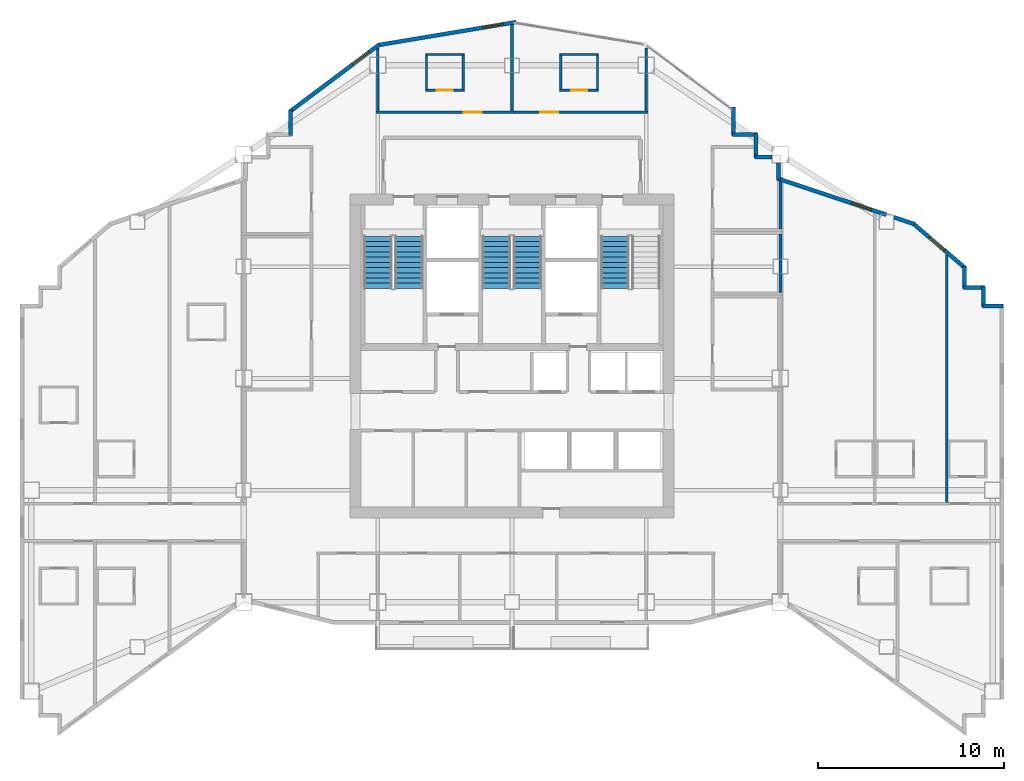
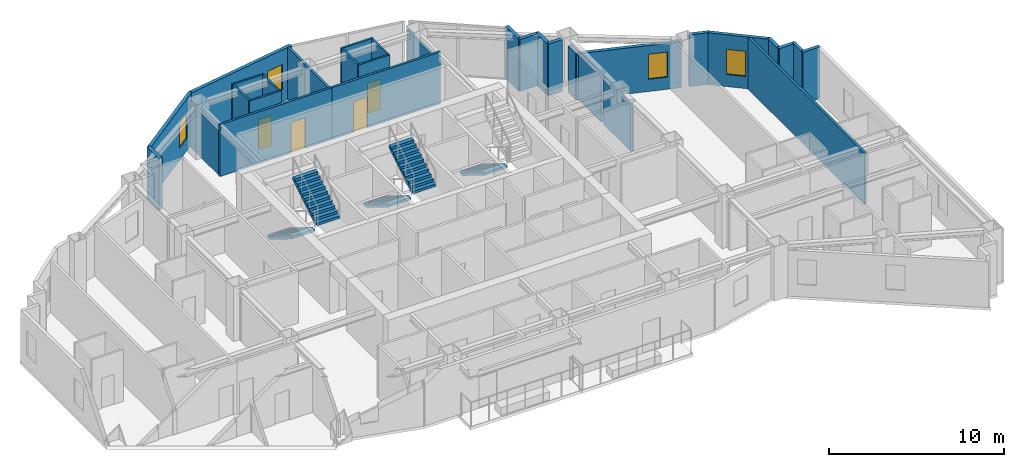
# One storey, part 9 of 11: 31 walls, 5 stair flights, 4 doors, 4 windows, 8 openings, 3 elements without a shape of their own.
"""IFC4 building model written with IfcOpenShell, lengths in metres."""

from ifc_helpers import new_model, si_unit, direction, frame, frame_2d, origin, place, context, subcontext, project, spatial, polyline, rectangle, outline, extrude, material, layer, layer_set, type_object, element, fill, aggregate, save


model = new_model("IFC4")

# Units and contexts
model_context = context("Model", 3, precision=1e-05, world=origin(), true_north=direction((0.0, 1.0)))
body_context = subcontext(model_context, "Body", "Model", "MODEL_VIEW")
ifc_project = project(units=[si_unit("LENGTHUNIT", "METRE"), si_unit("AREAUNIT", "SQUARE_METRE"), si_unit("VOLUMEUNIT", "CUBIC_METRE"), si_unit("PLANEANGLEUNIT", "RADIAN"), si_unit("MASSUNIT", "GRAM", prefix="KILO")], contexts=[model_context])

# Site, building, storey
site_placement = place(None, origin())
site = spatial("IfcSite", under=ifc_project, at=site_placement, CompositionType="ELEMENT")
building_placement = place(site_placement, origin())
building = spatial("IfcBuilding", under=site, at=building_placement, Name="Haolan Belvedere Tower", CompositionType="ELEMENT")
storey_placement = place(building_placement, frame((0.0, 0.0, 215.39990234375)))
storey = spatial("IfcBuildingStorey", under=building, at=storey_placement, Name="L54", CompositionType="ELEMENT", Elevation=215.39990234375)

# Walls
ifc_material_1 = material(Name="Precast concrete C40/50", Category="concrete")
ifc_layer_1 = layer(ifc_material_1, 0.219970703125, Name="Precast concrete C40/50")
ifc_layer_set_1 = layer_set([ifc_layer_1], Name="Precast concrete C40/50")
wall_type_1 = type_object("IfcWallType", Name="WL-EXT-220", PredefinedType="SOLIDWALL", material=ifc_layer_set_1)
wall_1_placement = place(storey_placement, frame((64.7451171875, 37.489990234375, 0.0), z_axis=(0.0, 0.0, 1.0), x_axis=(-1.0, 0.0, 0.0)))
element("IfcWall", 1, at=wall_1_placement, inside=storey, type_object=wall_type_1, Name="L54 pale-metal exterior spandrel wall 9.1", PredefinedType="SOLIDWALL", context=body_context, shape_type="SweptSolid", body=[
    extrude(rectangle(XDim=1.110107421875, YDim=0.219970703125, at=frame_2d((0.55517578125, 0.0))), origin(), (0.0, 0.0, 1.0), 3.6201171875),
])
wall_2_placement = place(storey_placement, frame((63.68994140625, 37.43505859375, 0.0), z_axis=(0.0, 0.0, 1.0), x_axis=(0.0, 1.0, 0.0)))
element("IfcWall", 2, at=wall_2_placement, inside=storey, type_object=wall_type_1, Name="L54 pale-metal exterior spandrel wall 10.1", PredefinedType="SOLIDWALL", context=body_context, shape_type="SweptSolid", body=[
    extrude(rectangle(XDim=1.10986328125, YDim=0.219970703125, at=frame_2d((0.554931640625, 0.0))), origin(), (0.0, 0.0, 1.0), 3.6201171875),
])
wall_3_placement = place(storey_placement, frame((63.7451171875, 38.489990234375, 0.0), z_axis=(0.0, 0.0, 1.0), x_axis=(-1.0, 0.0, 0.0)))
element("IfcWall", 3, at=wall_3_placement, inside=storey, type_object=wall_type_1, Name="L54 pale-metal exterior spandrel wall 11.1", PredefinedType="SOLIDWALL", context=body_context, shape_type="SweptSolid", body=[
    extrude(rectangle(XDim=1.110107421875, YDim=0.219970703125, at=frame_2d((0.55517578125, 0.0))), origin(), (0.0, 0.0, 1.0), 3.6201171875),
])
wall_4_placement = place(storey_placement, frame((62.68994140625, 38.43505859375, 0.0), z_axis=(0.0, 0.0, 1.0), x_axis=(0.0, 1.0, 0.0)))
element("IfcWall", 4, at=wall_4_placement, inside=storey, type_object=wall_type_1, Name="L54 pale-metal exterior spandrel wall 12.1", PredefinedType="SOLIDWALL", context=body_context, shape_type="SweptSolid", body=[
    extrude(rectangle(XDim=1.16943359375, YDim=0.219970703125, at=frame_2d((0.584716796875, 0.0))), origin(), (0.0, 0.0, 1.0), 3.6201171875),
])

# Wall, opening, window
wall_5_placement = place(storey_placement, frame((62.731689453125, 39.513671875, 0.0), z_axis=(0.0, 0.0, 1.0), x_axis=(-0.759251976569, 0.65079677018, 0.0)))
wall_5 = element("IfcWall", 5, at=wall_5_placement, inside=storey, type_object=wall_type_1, Name="L54 pale-metal exterior spandrel wall 13.1", PredefinedType="SOLIDWALL", context=body_context, shape_type="SweptSolid", body=[
    extrude(rectangle(XDim=3.7255859375, YDim=0.219970703125, at=frame_2d((1.86279296875, 0.0))), origin(), (0.0, 0.0, 1.0), 3.6201171875),
])
opening_1_placement = place(wall_5_placement, frame((1.467041015625, 0.0, 0.85009765625)))
opening_1 = element("IfcOpeningElement", 6, at=opening_1_placement, cuts=wall_5, Name="Opening W-03", PredefinedType="OPENING", context=body_context, shape_type="SweptSolid", body=[
    extrude(rectangle(XDim=1.10009765625, YDim=1.75, at=frame_2d((0.550048828125, 0.875))), frame((0.0, 0.119873046875, 0.0), z_axis=(0.0, -1.0, 0.0), x_axis=(1.0, 0.0, 0.0)), (0.0, 0.0, 1.0), 0.239990234375),
])
ifc_material_2 = material(Name="Anodised aluminium 6063-T6 and Low-E glass", Category="aluminium")
window_type = type_object("IfcWindowType", Name="WN-DECO-Z3", PartitioningType="SINGLE_PANEL", PredefinedType="WINDOW", material=ifc_material_2)
window_1_placement = place(opening_1_placement, origin())
window_1 = element("IfcWindow", 7, at=window_1_placement, inside=storey, type_object=window_type, Name="L54 Art Deco chevron window 1", OverallHeight=1.75, OverallWidth=1.10009765625, PartitioningType="SINGLE_PANEL", PredefinedType="WINDOW", context=body_context, shape_type="SweptSolid", body=[
    extrude(rectangle(XDim=1.10009765625, YDim=1.75, at=frame_2d((0.550048828125, 0.875))), frame((0.0, 0.030029296875, 0.0), z_axis=(0.0, -1.0, 0.0), x_axis=(1.0, 0.0, 0.0)), (0.0, 0.0, 1.0), 0.06005859375),
])
fill(opening_1, window_1)

# Wall
wall_6_placement = place(storey_placement, frame((59.9970703125, 41.885009765625, 0.0), z_axis=(0.0, 0.0, 1.0), x_axis=(-0.948662335685, 0.316290646166, 0.0)))
element("IfcWall", 8, at=wall_6_placement, inside=storey, type_object=wall_type_1, Name="L54 pale-metal exterior spandrel wall 14.1", PredefinedType="SOLIDWALL", context=body_context, shape_type="SweptSolid", body=[
    extrude(rectangle(XDim=1.164794921875, YDim=0.219970703125, at=frame_2d((0.58251953125, 0.0))), origin(), (0.0, 0.0, 1.0), 3.6201171875),
])

# Wall, opening, window
wall_7_placement = place(storey_placement, frame((58.476318359375, 42.39208984375, 0.0), z_axis=(0.0, 0.0, 1.0), x_axis=(-0.948691231611, 0.316203964339, 0.0)))
wall_7 = element("IfcWall", 9, at=wall_7_placement, inside=storey, type_object=wall_type_1, Name="L54 pale-metal exterior spandrel wall 14.2", PredefinedType="SOLIDWALL", context=body_context, shape_type="SweptSolid", body=[
    extrude(rectangle(XDim=6.154296875, YDim=0.219970703125, at=frame_2d((3.0771484375, 0.0))), origin(), (0.0, 0.0, 1.0), 3.215087890625),
])
opening_2_placement = place(wall_7_placement, frame((0.840087890625, 0.0, 0.85009765625)))
opening_2 = element("IfcOpeningElement", 10, at=opening_2_placement, cuts=wall_7, Name="Opening W-03", PredefinedType="OPENING", context=body_context, shape_type="SweptSolid", body=[
    extrude(rectangle(XDim=1.10009765625, YDim=1.75, at=frame_2d((0.550048828125, 0.875))), frame((0.0, 0.119873046875, 0.0), z_axis=(0.0, -1.0, 0.0), x_axis=(1.0, 0.0, 0.0)), (0.0, 0.0, 1.0), 0.239990234375),
])
window_2_placement = place(opening_2_placement, origin())
window_2 = element("IfcWindow", 11, at=window_2_placement, inside=storey, type_object=window_type, Name="L54 Art Deco chevron window 1", OverallHeight=1.75, OverallWidth=1.10009765625, PartitioningType="SINGLE_PANEL", PredefinedType="WINDOW", context=body_context, shape_type="SweptSolid", body=[
    extrude(rectangle(XDim=1.10009765625, YDim=1.75, at=frame_2d((0.550048828125, 0.875))), frame((0.0, 0.030029296875, 0.0), z_axis=(0.0, -1.0, 0.0), x_axis=(1.0, 0.0, 0.0)), (0.0, 0.0, 1.0), 0.06005859375),
])
fill(opening_2, window_2)

# Walls
wall_8_placement = place(storey_placement, frame((52.68994140625, 44.265625, 0.0), z_axis=(0.0, 0.0, 1.0), x_axis=(0.0, 1.0, 0.0)))
element("IfcWall", 12, at=wall_8_placement, inside=storey, type_object=wall_type_1, Name="L54 pale-metal exterior spandrel wall 15.1", PredefinedType="SOLIDWALL", context=body_context, shape_type="SweptSolid", body=[
    extrude(rectangle(XDim=0.892333984375, YDim=0.219970703125, at=frame_2d((0.4462890625, 0.0))), origin(), (0.0, 0.0, 1.0), 3.215087890625),
])
wall_9_placement = place(storey_placement, frame((52.35791015625, 45.489990234375, 0.0), z_axis=(0.0, 0.0, 1.0), x_axis=(-1.0, 0.0, 0.0)))
element("IfcWall", 13, at=wall_9_placement, inside=storey, type_object=wall_type_1, Name="L54 pale-metal exterior spandrel wall 16.1", PredefinedType="SOLIDWALL", context=body_context, shape_type="SweptSolid", body=[
    extrude(rectangle(XDim=0.9228515625, YDim=0.219970703125, at=frame_2d((0.46142578125, 0.0))), origin(), (0.0, 0.0, 1.0), 3.6201171875),
])
wall_10_placement = place(storey_placement, frame((51.489990234375, 45.43505859375, 0.0), z_axis=(0.0, 0.0, 1.0), x_axis=(0.0, 1.0, 0.0)))
element("IfcWall", 14, at=wall_10_placement, inside=storey, type_object=wall_type_1, Name="L54 pale-metal exterior spandrel wall 17.1", PredefinedType="SOLIDWALL", context=body_context, shape_type="SweptSolid", body=[
    extrude(rectangle(XDim=1.31005859375, YDim=0.219970703125, at=frame_2d((0.655029296875, 0.0))), origin(), (0.0, 0.0, 1.0), 3.6201171875),
])
wall_11_placement = place(storey_placement, frame((51.544921875, 46.68994140625, 0.0), z_axis=(0.0, 0.0, 1.0), x_axis=(-1.0, 0.0, 0.0)))
element("IfcWall", 15, at=wall_11_placement, inside=storey, type_object=wall_type_1, Name="L54 pale-metal exterior spandrel wall 18.1", PredefinedType="SOLIDWALL", context=body_context, shape_type="SweptSolid", body=[
    extrude(rectangle(XDim=1.309814453125, YDim=0.219970703125, at=frame_2d((0.65478515625, 0.0))), origin(), (0.0, 0.0, 1.0), 3.6201171875),
])
wall_12_placement = place(storey_placement, frame((50.2900390625, 46.635009765625, 0.0), z_axis=(0.0, 0.0, 1.0), x_axis=(0.0, 1.0, 0.0)))
element("IfcWall", 16, at=wall_12_placement, inside=storey, type_object=wall_type_1, Name="L54 pale-metal exterior spandrel wall 19.1", PredefinedType="SOLIDWALL", context=body_context, shape_type="SweptSolid", body=[
    extrude(rectangle(XDim=1.534912109375, YDim=0.219970703125, at=frame_2d((0.767578125, 0.0))), origin(), (0.0, 0.0, 1.0), 3.6201171875),
])

# Wall, opening, window
wall_13_placement = place(storey_placement, frame((38.621826171875, 52.7255859375, 0.0), z_axis=(0.0, 0.0, 1.0), x_axis=(-0.986390420428, -0.164420006349, 0.0)))
wall_13 = element("IfcWall", 17, at=wall_13_placement, inside=storey, type_object=wall_type_1, Name="L54 pale-metal exterior spandrel wall 22.1", PredefinedType="SOLIDWALL", context=body_context, shape_type="SweptSolid", body=[
    extrude(rectangle(XDim=7.5341796875, YDim=0.219970703125, at=frame_2d((3.76708984375, 0.0))), origin(), (0.0, 0.0, 1.0), 3.6201171875),
])
opening_3_placement = place(wall_13_placement, frame((0.699951171875, 0.0, 0.85009765625)))
opening_3 = element("IfcOpeningElement", 18, at=opening_3_placement, cuts=wall_13, Name="Opening W-03", PredefinedType="OPENING", context=body_context, shape_type="SweptSolid", body=[
    extrude(rectangle(XDim=1.10009765625, YDim=1.75, at=frame_2d((0.550048828125, 0.875))), frame((0.0, 0.119873046875, 0.0), z_axis=(0.0, -1.0, 0.0), x_axis=(1.0, 0.0, 0.0)), (0.0, 0.0, 1.0), 0.239990234375),
])
window_3_placement = place(opening_3_placement, origin())
window_3 = element("IfcWindow", 19, at=window_3_placement, inside=storey, type_object=window_type, Name="L54 Art Deco chevron window 1", OverallHeight=1.75, OverallWidth=1.10009765625, PartitioningType="SINGLE_PANEL", PredefinedType="WINDOW", context=body_context, shape_type="SweptSolid", body=[
    extrude(rectangle(XDim=1.10009765625, YDim=1.75, at=frame_2d((0.550048828125, 0.875))), frame((0.0, 0.030029296875, 0.0), z_axis=(0.0, -1.0, 0.0), x_axis=(1.0, 0.0, 0.0)), (0.0, 0.0, 1.0), 0.06005859375),
])
fill(opening_3, window_3)

wall_14_placement = place(storey_placement, frame((31.28857421875, 51.52880859375, 0.0), z_axis=(0.0, 0.0, 1.0), x_axis=(-0.800014580093, -0.599980559383, 0.0)))
wall_14 = element("IfcWall", 20, at=wall_14_placement, inside=storey, type_object=wall_type_1, Name="L54 pale-metal exterior spandrel wall 23.1", PredefinedType="SOLIDWALL", context=body_context, shape_type="SweptSolid", body=[
    extrude(rectangle(XDim=6.028076171875, YDim=0.219970703125, at=frame_2d((3.01416015625, 0.0))), origin(), (0.0, 0.0, 1.0), 3.6201171875),
])
opening_4_placement = place(wall_14_placement, frame((0.699951171875, 0.0, 0.85009765625)))
opening_4 = element("IfcOpeningElement", 21, at=opening_4_placement, cuts=wall_14, Name="Opening W-03", PredefinedType="OPENING", context=body_context, shape_type="SweptSolid", body=[
    extrude(rectangle(XDim=1.10009765625, YDim=1.75, at=frame_2d((0.550048828125, 0.875))), frame((0.0, 0.119873046875, 0.0), z_axis=(0.0, -1.0, 0.0), x_axis=(1.0, 0.0, 0.0)), (0.0, 0.0, 1.0), 0.239990234375),
])
window_4_placement = place(opening_4_placement, origin())
window_4 = element("IfcWindow", 22, at=window_4_placement, inside=storey, type_object=window_type, Name="L54 Art Deco chevron window 1", OverallHeight=1.75, OverallWidth=1.10009765625, PartitioningType="SINGLE_PANEL", PredefinedType="WINDOW", context=body_context, shape_type="SweptSolid", body=[
    extrude(rectangle(XDim=1.10009765625, YDim=1.75, at=frame_2d((0.550048828125, 0.875))), frame((0.0, 0.030029296875, 0.0), z_axis=(0.0, -1.0, 0.0), x_axis=(1.0, 0.0, 0.0)), (0.0, 0.0, 1.0), 0.06005859375),
])
fill(opening_4, window_4)

# Walls
wall_15_placement = place(storey_placement, frame((26.510009765625, 48.0, 0.0), z_axis=(0.0, 0.0, 1.0), x_axis=(0.0, -1.0, 0.0)))
element("IfcWall", 23, at=wall_15_placement, inside=storey, type_object=wall_type_1, Name="L54 pale-metal exterior spandrel wall 24.1", PredefinedType="SOLIDWALL", context=body_context, shape_type="SweptSolid", body=[
    extrude(rectangle(XDim=1.364990234375, YDim=0.219970703125, at=frame_2d((0.6826171875, 0.0))), origin(), (0.0, 0.0, 1.0), 3.6201171875),
])
ifc_material_3 = material(Name="Double gypsum acoustic stud partition", Category="masonry")
ifc_layer_2 = layer(ifc_material_3, 0.14990234375, Name="Double gypsum acoustic stud partition")
ifc_layer_set_2 = layer_set([ifc_layer_2], Name="Double gypsum acoustic stud partition")
wall_type_2 = type_object("IfcWallType", Name="WL-PART-150", PredefinedType="PARTITIONING", material=ifc_layer_set_2)
wall_16_placement = place(storey_placement, frame((52.800048828125, 38.219970703125, 0.0), z_axis=(0.0, 0.0, 1.0), x_axis=(0.0, 1.0, 0.0)))
element("IfcWall", 24, at=wall_16_placement, inside=storey, type_object=wall_type_2, Name="L54 interior partition IW-L54-AWC-E", PredefinedType="PARTITIONING", context=body_context, shape_type="SweptSolid", body=[
    extrude(rectangle(XDim=3.1201171875, YDim=0.14990234375, at=frame_2d((1.56005859375, 0.0))), origin(), (0.0, 0.0, 1.0), 3.215087890625),
])
wall_17_placement = place(storey_placement, frame((52.800048828125, 41.6201171875, 0.0), z_axis=(0.0, 0.0, 1.0), x_axis=(0.0, 1.0, 0.0)))
element("IfcWall", 25, at=wall_17_placement, inside=storey, type_object=wall_type_2, Name="L54 interior partition IW-L54-CLN-E", PredefinedType="PARTITIONING", context=body_context, shape_type="SweptSolid", body=[
    extrude(rectangle(XDim=2.556396484375, YDim=0.14990234375, at=frame_2d((1.2783203125, 0.0))), origin(), (0.0, 0.0, 1.0), 3.215087890625),
])

# Wall, opening, door
wall_18_placement = place(storey_placement, frame((31.10009765625, 47.8798828125, 0.0), z_axis=(0.0, 0.0, 1.0), x_axis=(1.0, 0.0, 0.0)))
wall_18 = element("IfcWall", 26, at=wall_18_placement, inside=storey, type_object=wall_type_2, Name="L54 interior partition IW-L54-KN2-S", PredefinedType="PARTITIONING", context=body_context, shape_type="SweptSolid", body=[
    extrude(rectangle(XDim=7.39990234375, YDim=0.14990234375, at=frame_2d((3.699951171875, 0.0))), origin(), (0.0, 0.0, 1.0), 3.6201171875),
])
opening_5_placement = place(wall_18_placement, frame((4.713623046875, 0.0, 0.0)))
opening_5 = element("IfcOpeningElement", 27, at=opening_5_placement, cuts=wall_18, Name="Opening ID-02", PredefinedType="OPENING", context=body_context, shape_type="SweptSolid", body=[
    extrude(rectangle(XDim=0.949951171875, YDim=2.14990234375, at=frame_2d((0.47509765625, 1.074951171875))), frame((0.0, 0.0849609375, 0.0), z_axis=(0.0, -1.0, 0.0), x_axis=(1.0, 0.0, 0.0)), (0.0, 0.0, 1.0), 0.169921875),
])
ifc_material_4 = material(Name="Acoustic oak veneer fire-rated timber", Category="wood")
door_type_1 = type_object("IfcDoorType", Name="DR-GUEST-950", OperationType="NOTDEFINED", PredefinedType="DOOR", material=ifc_material_4)
door_1_placement = place(opening_5_placement, origin())
door_1 = element("IfcDoor", 28, at=door_1_placement, inside=storey, type_object=door_type_1, Name="L54 door ID-L54-KN2-ENT", OperationType="SINGLE_SWING_RIGHT", OverallHeight=2.14990234375, OverallWidth=0.949951171875, PredefinedType="DOOR", context=body_context, shape_type="SweptSolid", body=[
    extrude(rectangle(XDim=0.949951171875, YDim=2.14990234375, at=frame_2d((0.47509765625, 1.074951171875))), frame((0.0, 0.02490234375, 0.0), z_axis=(0.0, -1.0, 0.0), x_axis=(1.0, 0.0, 0.0)), (0.0, 0.0, 1.0), 0.050048828125),
])
fill(opening_5, door_1)

# Walls
wall_19_placement = place(storey_placement, frame((31.199951171875, 47.93994140625, 0.0), z_axis=(0.0, 0.0, 1.0), x_axis=(0.0, 1.0, 0.0)))
element("IfcWall", 29, at=wall_19_placement, inside=storey, type_object=wall_type_2, Name="L54 interior partition IW-L54-KN2-W", PredefinedType="PARTITIONING", context=body_context, shape_type="SweptSolid", body=[
    extrude(rectangle(XDim=3.39501953125, YDim=0.14990234375, at=frame_2d((1.697509765625, 0.0))), origin(), (0.0, 0.0, 1.0), 3.10498046875),
])
wall_20_placement = place(storey_placement, frame((38.39990234375, 47.93994140625, 0.0), z_axis=(0.0, 0.0, 1.0), x_axis=(0.0, 1.0, 0.0)))
element("IfcWall", 30, at=wall_20_placement, inside=storey, type_object=wall_type_2, Name="L54 interior partition IW-L54-KN2-E", PredefinedType="PARTITIONING", context=body_context, shape_type="SweptSolid", body=[
    extrude(rectangle(XDim=4.645263671875, YDim=0.14990234375, at=frame_2d((2.32275390625, 0.0))), origin(), (0.0, 0.0, 1.0), 3.6201171875),
])

# Wall, opening, door
wall_21_placement = place(storey_placement, frame((38.501953125, 47.8798828125, 0.0), z_axis=(0.0, 0.0, 1.0), x_axis=(1.0, 0.0, 0.0)))
wall_21 = element("IfcWall", 31, at=wall_21_placement, inside=storey, type_object=wall_type_2, Name="L54 interior partition IW-L54-KN3-S", PredefinedType="PARTITIONING", context=body_context, shape_type="SweptSolid", body=[
    extrude(rectangle(XDim=7.197998046875, YDim=0.14990234375, at=frame_2d((3.59912109375, 0.0))), origin(), (0.0, 0.0, 1.0), 3.6201171875),
])
opening_6_placement = place(wall_21_placement, frame((1.41748046875, 0.0, 0.0)))
opening_6 = element("IfcOpeningElement", 32, at=opening_6_placement, cuts=wall_21, Name="Opening ID-02", PredefinedType="OPENING", context=body_context, shape_type="SweptSolid", body=[
    extrude(rectangle(XDim=0.949951171875, YDim=2.14990234375, at=frame_2d((0.47509765625, 1.074951171875))), frame((0.0, 0.0849609375, 0.0), z_axis=(0.0, -1.0, 0.0), x_axis=(1.0, 0.0, 0.0)), (0.0, 0.0, 1.0), 0.169921875),
])
door_2_placement = place(opening_6_placement, origin())
door_2 = element("IfcDoor", 33, at=door_2_placement, inside=storey, type_object=door_type_1, Name="L54 door ID-L54-KN3-ENT", OperationType="SINGLE_SWING_LEFT", OverallHeight=2.14990234375, OverallWidth=0.949951171875, PredefinedType="DOOR", context=body_context, shape_type="SweptSolid", body=[
    extrude(rectangle(XDim=0.949951171875, YDim=2.14990234375, at=frame_2d((0.47509765625, 1.074951171875))), frame((0.0, 0.02490234375, 0.0), z_axis=(0.0, -1.0, 0.0), x_axis=(1.0, 0.0, 0.0)), (0.0, 0.0, 1.0), 0.050048828125),
])
fill(opening_6, door_2)

# Walls
wall_22_placement = place(storey_placement, frame((45.60009765625, 47.93994140625, 0.0), z_axis=(0.0, 0.0, 1.0), x_axis=(0.0, 1.0, 0.0)))
element("IfcWall", 34, at=wall_22_placement, inside=storey, type_object=wall_type_2, Name="L54 interior partition IW-L54-KN3-E", PredefinedType="PARTITIONING", context=body_context, shape_type="SweptSolid", body=[
    extrude(rectangle(XDim=3.39501953125, YDim=0.14990234375, at=frame_2d((1.697509765625, 0.0))), origin(), (0.0, 0.0, 1.0), 3.10498046875),
])
wall_23_placement = place(storey_placement, frame((61.72998046875, 26.93994140625, 0.0), z_axis=(0.0, 0.0, 1.0), x_axis=(0.0, 1.0, 0.0)))
element("IfcWall", 35, at=wall_23_placement, inside=storey, type_object=wall_type_2, Name="L54 interior partition IW-L54-T4N2-E", PredefinedType="PARTITIONING", context=body_context, shape_type="SweptSolid", body=[
    extrude(rectangle(XDim=13.2978515625, YDim=0.14990234375, at=frame_2d((6.64892578125, 0.0))), origin(), (0.0, 0.0, 1.0), 3.6201171875),
])
ifc_material_5 = material(Name="Moisture-resistant gypsum tile partition", Category="masonry")
ifc_layer_3 = layer(ifc_material_5, 0.1201171875, Name="Moisture-resistant gypsum tile partition")
ifc_layer_set_3 = layer_set([ifc_layer_3], Name="Moisture-resistant gypsum tile partition")
wall_type_3 = type_object("IfcWallType", Name="WL-WET-120", PredefinedType="PARTITIONING", material=ifc_layer_set_3)
wall_24_placement = place(storey_placement, frame((33.75, 50.97998046875, 0.0), z_axis=(0.0, 0.0, 1.0), x_axis=(1.0, 0.0, 0.0)))
element("IfcWall", 36, at=wall_24_placement, inside=storey, type_object=wall_type_3, Name="L54 interior partition IW-L54-KN2-BN", PredefinedType="PARTITIONING", context=body_context, shape_type="SweptSolid", body=[
    extrude(rectangle(XDim=2.10009765625, YDim=0.1201171875, at=frame_2d((1.050048828125, 0.0))), origin(), (0.0, 0.0, 1.0), 3.6201171875),
])

# Wall, opening, door
wall_25_placement = place(storey_placement, frame((33.75, 49.06005859375, 0.0), z_axis=(0.0, 0.0, 1.0), x_axis=(1.0, 0.0, 0.0)))
wall_25 = element("IfcWall", 37, at=wall_25_placement, inside=storey, type_object=wall_type_3, Name="L54 interior partition IW-L54-KN2-BS", PredefinedType="PARTITIONING", context=body_context, shape_type="SweptSolid", body=[
    extrude(rectangle(XDim=2.10009765625, YDim=0.1201171875, at=frame_2d((1.050048828125, 0.0))), origin(), (0.0, 0.0, 1.0), 3.6201171875),
])
opening_7_placement = place(wall_25_placement, frame((0.625, 0.0, 0.0)))
opening_7 = element("IfcOpeningElement", 38, at=opening_7_placement, cuts=wall_25, Name="Opening ID-05", PredefinedType="OPENING", context=body_context, shape_type="SweptSolid", body=[
    extrude(rectangle(XDim=0.85009765625, YDim=2.10009765625, at=frame_2d((0.425048828125, 1.050048828125))), frame((0.0, 0.070068359375, 0.0), z_axis=(0.0, -1.0, 0.0), x_axis=(1.0, 0.0, 0.0)), (0.0, 0.0, 1.0), 0.14013671875),
])
ifc_material_6 = material(Name="Moisture-resistant lacquered timber", Category="wood")
door_type_2 = type_object("IfcDoorType", Name="DR-BATH-850", OperationType="NOTDEFINED", PredefinedType="DOOR", material=ifc_material_6)
door_3_placement = place(opening_7_placement, origin())
door_3 = element("IfcDoor", 39, at=door_3_placement, inside=storey, type_object=door_type_2, Name="L54 door ID-L54-KN2-BATH", OperationType="SINGLE_SWING_LEFT", OverallHeight=2.10009765625, OverallWidth=0.85009765625, PredefinedType="DOOR", context=body_context, shape_type="SweptSolid", body=[
    extrude(rectangle(XDim=0.85009765625, YDim=2.10009765625, at=frame_2d((0.425048828125, 1.050048828125))), frame((0.0, 0.02490234375, 0.0), z_axis=(0.0, -1.0, 0.0), x_axis=(1.0, 0.0, 0.0)), (0.0, 0.0, 1.0), 0.050048828125),
])
fill(opening_7, door_3)

# Walls
for number, where, z_axis, x_axis, name in (
    (40, (33.81005859375, 49.10498046875, 0.0), (0.0, 0.0, 1.0), (0.0, 1.0, 0.0), "L54 interior partition IW-L54-KN2-BW"),
    (41, (35.7900390625, 49.10498046875, 0.0), (0.0, 0.0, 1.0), (0.0, 1.0, 0.0), "L54 interior partition IW-L54-KN2-BE"),
):
    element("IfcWall", number, at=place(storey_placement, frame(where, z_axis=z_axis, x_axis=x_axis)), inside=storey, type_object=wall_type_3, Name=name, PredefinedType="PARTITIONING", context=body_context, shape_type="SweptSolid", body=[
        extrude(rectangle(XDim=1.830078125, YDim=0.1201171875, at=frame_2d((0.9150390625, 0.0))), origin(), (0.0, 0.0, 1.0), 3.6201171875),
    ])
wall_26_placement = place(storey_placement, frame((40.949951171875, 50.97998046875, 0.0), z_axis=(0.0, 0.0, 1.0), x_axis=(1.0, 0.0, 0.0)))
element("IfcWall", 42, at=wall_26_placement, inside=storey, type_object=wall_type_3, Name="L54 interior partition IW-L54-KN3-BN", PredefinedType="PARTITIONING", context=body_context, shape_type="SweptSolid", body=[
    extrude(rectangle(XDim=2.10009765625, YDim=0.1201171875, at=frame_2d((1.050048828125, 0.0))), origin(), (0.0, 0.0, 1.0), 3.6201171875),
])

# Wall, opening, door
wall_27_placement = place(storey_placement, frame((40.949951171875, 49.06005859375, 0.0), z_axis=(0.0, 0.0, 1.0), x_axis=(1.0, 0.0, 0.0)))
wall_27 = element("IfcWall", 43, at=wall_27_placement, inside=storey, type_object=wall_type_3, Name="L54 interior partition IW-L54-KN3-BS", PredefinedType="PARTITIONING", context=body_context, shape_type="SweptSolid", body=[
    extrude(rectangle(XDim=2.10009765625, YDim=0.1201171875, at=frame_2d((1.050048828125, 0.0))), origin(), (0.0, 0.0, 1.0), 3.6201171875),
])
opening_8_placement = place(wall_27_placement, frame((0.625, 0.0, 0.0)))
opening_8 = element("IfcOpeningElement", 44, at=opening_8_placement, cuts=wall_27, Name="Opening ID-05", PredefinedType="OPENING", context=body_context, shape_type="SweptSolid", body=[
    extrude(rectangle(XDim=0.85009765625, YDim=2.10009765625, at=frame_2d((0.425048828125, 1.050048828125))), frame((0.0, 0.070068359375, 0.0), z_axis=(0.0, -1.0, 0.0), x_axis=(1.0, 0.0, 0.0)), (0.0, 0.0, 1.0), 0.14013671875),
])
door_4_placement = place(opening_8_placement, origin())
door_4 = element("IfcDoor", 45, at=door_4_placement, inside=storey, type_object=door_type_2, Name="L54 door ID-L54-KN3-BATH", OperationType="SINGLE_SWING_RIGHT", OverallHeight=2.10009765625, OverallWidth=0.85009765625, PredefinedType="DOOR", context=body_context, shape_type="SweptSolid", body=[
    extrude(rectangle(XDim=0.85009765625, YDim=2.10009765625, at=frame_2d((0.425048828125, 1.050048828125))), frame((0.0, 0.02490234375, 0.0), z_axis=(0.0, -1.0, 0.0), x_axis=(1.0, 0.0, 0.0)), (0.0, 0.0, 1.0), 0.050048828125),
])
fill(opening_8, door_4)

# Walls
for number, where, z_axis, x_axis, name in (
    (46, (41.010009765625, 49.10498046875, 0.0), (0.0, 0.0, 1.0), (0.0, 1.0, 0.0), "L54 interior partition IW-L54-KN3-BW"),
    (47, (42.989990234375, 49.10498046875, 0.0), (0.0, 0.0, 1.0), (0.0, 1.0, 0.0), "L54 interior partition IW-L54-KN3-BE"),
):
    element("IfcWall", number, at=place(storey_placement, frame(where, z_axis=z_axis, x_axis=x_axis)), inside=storey, type_object=wall_type_3, Name=name, PredefinedType="PARTITIONING", context=body_context, shape_type="SweptSolid", body=[
        extrude(rectangle(XDim=1.830078125, YDim=0.1201171875, at=frame_2d((0.9150390625, 0.0))), origin(), (0.0, 0.0, 1.0), 3.6201171875),
    ])

# Stair, stair flights
ifc_material_7 = material(Name="Concrete C40/50", Category="concrete")
stair_type = type_object("IfcStairType", Name="STR-DL-22R-173", PredefinedType="HALF_TURN_STAIR", material=ifc_material_7)
stair_1_placement = place(storey_placement, origin())
stair_1 = element("IfcStair", 48, at=stair_1_placement, inside=storey, type_object=stair_type, Name="L54 Smokeproof Core Exit Stair ST1", PredefinedType="HALF_TURN_STAIR")
stair_flight_type = type_object("IfcStairFlightType", Name="SFL-DL-11R-173", PredefinedType="STRAIGHT", material=ifc_material_7)
stair_flight_1_placement = place(storey_placement, frame((31.2099609375, 41.22998046875, 0.0), z_axis=(0.0, 0.0, 1.0), x_axis=(0.0, -1.0, 0.0)))
stair_flight_1 = element("IfcStairFlight", 49, at=stair_flight_1_placement, type_object=stair_flight_type, Name="ST1 flight 1", NumberOfRisers=11, NumberOfTreads=10, PredefinedType="STRAIGHT", RiserHeight=0.172727273, TreadLength=0.28, context=body_context, shape_type="SweptSolid", body=[
    extrude(outline(polyline([(0.0, 0.0), (0.0, 0.172607421875), (0.280029296875, 0.172607421875), (0.280029296875, 0.345458984375), (0.56005859375, 0.345458984375), (0.56005859375, 0.51806640625), (0.840087890625, 0.51806640625), (0.840087890625, 0.69091796875), (1.1201171875, 0.69091796875), (1.1201171875, 0.863525390625), (1.39990234375, 0.863525390625), (1.39990234375, 1.036376953125), (1.679931640625, 1.036376953125), (1.679931640625, 1.208984375), (1.9599609375, 1.208984375), (1.9599609375, 1.3818359375), (2.239990234375, 1.3818359375), (2.239990234375, 1.554443359375), (2.52001953125, 1.554443359375), (2.52001953125, 1.727294921875), (2.800048828125, 1.727294921875), (2.800048828125, 1.89990234375), (2.800048828125, 1.551025390625), (0.285400390625, 0.0), (0.0, 0.0)])), frame((0.0, 0.760009765625, 0.0), z_axis=(0.0, -1.0, 0.0), x_axis=(1.0, 0.0, 0.0)), (0.0, 0.0, 1.0), 1.52001953125),
])
stair_flight_2_placement = place(storey_placement, frame((32.8701171875, 38.429931640625, 1.900146484375), z_axis=(0.0, 0.0, 1.0), x_axis=(0.0, 1.0, 0.0)))
stair_flight_2 = element("IfcStairFlight", 50, at=stair_flight_2_placement, type_object=stair_flight_type, Name="ST1 flight 2", NumberOfRisers=11, NumberOfTreads=10, PredefinedType="STRAIGHT", RiserHeight=0.172727273, TreadLength=0.28, context=body_context, shape_type="SweptSolid", body=[
    extrude(outline(polyline([(0.0, 0.0), (0.0, 0.172607421875), (0.280029296875, 0.172607421875), (0.280029296875, 0.345458984375), (0.56005859375, 0.345458984375), (0.56005859375, 0.51806640625), (0.840087890625, 0.51806640625), (0.840087890625, 0.69091796875), (1.1201171875, 0.69091796875), (1.1201171875, 0.863525390625), (1.39990234375, 0.863525390625), (1.39990234375, 1.036376953125), (1.679931640625, 1.036376953125), (1.679931640625, 1.208984375), (1.9599609375, 1.208984375), (1.9599609375, 1.3818359375), (2.239990234375, 1.3818359375), (2.239990234375, 1.554443359375), (2.52001953125, 1.554443359375), (2.52001953125, 1.727294921875), (2.800048828125, 1.727294921875), (2.800048828125, 1.89990234375), (2.800048828125, 1.551025390625), (0.285400390625, 0.0), (0.0, 0.0)])), frame((0.0, 0.760009765625, 0.0), z_axis=(0.0, -1.0, 0.0), x_axis=(1.0, 0.0, 0.0)), (0.0, 0.0, 1.0), 1.52001953125),
])
aggregate(stair_1, [stair_flight_1, stair_flight_2])

stair_2_placement = place(storey_placement, origin())
stair_2 = element("IfcStair", 51, at=stair_2_placement, inside=storey, type_object=stair_type, Name="L54 Smokeproof Core Exit Stair ST3", PredefinedType="HALF_TURN_STAIR")
stair_flight_3_placement = place(storey_placement, frame((37.570068359375, 41.22998046875, 0.0), z_axis=(0.0, 0.0, 1.0), x_axis=(0.0, -1.0, 0.0)))
stair_flight_3 = element("IfcStairFlight", 52, at=stair_flight_3_placement, type_object=stair_flight_type, Name="ST3 flight 1", NumberOfRisers=11, NumberOfTreads=10, PredefinedType="STRAIGHT", RiserHeight=0.172727273, TreadLength=0.28, context=body_context, shape_type="SweptSolid", body=[
    extrude(outline(polyline([(0.0, 0.0), (0.0, 0.172607421875), (0.280029296875, 0.172607421875), (0.280029296875, 0.345458984375), (0.56005859375, 0.345458984375), (0.56005859375, 0.51806640625), (0.840087890625, 0.51806640625), (0.840087890625, 0.69091796875), (1.1201171875, 0.69091796875), (1.1201171875, 0.863525390625), (1.39990234375, 0.863525390625), (1.39990234375, 1.036376953125), (1.679931640625, 1.036376953125), (1.679931640625, 1.208984375), (1.9599609375, 1.208984375), (1.9599609375, 1.3818359375), (2.239990234375, 1.3818359375), (2.239990234375, 1.554443359375), (2.52001953125, 1.554443359375), (2.52001953125, 1.727294921875), (2.800048828125, 1.727294921875), (2.800048828125, 1.89990234375), (2.800048828125, 1.551025390625), (0.285400390625, 0.0), (0.0, 0.0)])), frame((0.0, 0.760009765625, 0.0), z_axis=(0.0, -1.0, 0.0), x_axis=(1.0, 0.0, 0.0)), (0.0, 0.0, 1.0), 1.52001953125),
])
stair_flight_4_placement = place(storey_placement, frame((39.22998046875, 38.429931640625, 1.900146484375), z_axis=(0.0, 0.0, 1.0), x_axis=(0.0, 1.0, 0.0)))
stair_flight_4 = element("IfcStairFlight", 53, at=stair_flight_4_placement, type_object=stair_flight_type, Name="ST3 flight 2", NumberOfRisers=11, NumberOfTreads=10, PredefinedType="STRAIGHT", RiserHeight=0.172727273, TreadLength=0.28, context=body_context, shape_type="SweptSolid", body=[
    extrude(outline(polyline([(0.0, 0.0), (0.0, 0.172607421875), (0.280029296875, 0.172607421875), (0.280029296875, 0.345458984375), (0.56005859375, 0.345458984375), (0.56005859375, 0.51806640625), (0.840087890625, 0.51806640625), (0.840087890625, 0.69091796875), (1.1201171875, 0.69091796875), (1.1201171875, 0.863525390625), (1.39990234375, 0.863525390625), (1.39990234375, 1.036376953125), (1.679931640625, 1.036376953125), (1.679931640625, 1.208984375), (1.9599609375, 1.208984375), (1.9599609375, 1.3818359375), (2.239990234375, 1.3818359375), (2.239990234375, 1.554443359375), (2.52001953125, 1.554443359375), (2.52001953125, 1.727294921875), (2.800048828125, 1.727294921875), (2.800048828125, 1.89990234375), (2.800048828125, 1.551025390625), (0.285400390625, 0.0), (0.0, 0.0)])), frame((0.0, 0.760009765625, 0.0), z_axis=(0.0, -1.0, 0.0), x_axis=(1.0, 0.0, 0.0)), (0.0, 0.0, 1.0), 1.52001953125),
])
aggregate(stair_2, [stair_flight_3, stair_flight_4])

# Stair, stair flight
stair_3_placement = place(storey_placement, origin())
stair_3 = element("IfcStair", 54, at=stair_3_placement, inside=storey, type_object=stair_type, Name="L54 Smokeproof Core Exit Stair ST2", PredefinedType="HALF_TURN_STAIR")
stair_flight_5_placement = place(storey_placement, frame((43.929931640625, 41.22998046875, 0.0), z_axis=(0.0, 0.0, 1.0), x_axis=(0.0, -1.0, 0.0)))
stair_flight_5 = element("IfcStairFlight", 55, at=stair_flight_5_placement, type_object=stair_flight_type, Name="ST2 flight 1", NumberOfRisers=11, NumberOfTreads=10, PredefinedType="STRAIGHT", RiserHeight=0.172727273, TreadLength=0.28, context=body_context, shape_type="SweptSolid", body=[
    extrude(outline(polyline([(0.0, 0.0), (0.0, 0.172607421875), (0.280029296875, 0.172607421875), (0.280029296875, 0.345458984375), (0.56005859375, 0.345458984375), (0.56005859375, 0.51806640625), (0.840087890625, 0.51806640625), (0.840087890625, 0.69091796875), (1.1201171875, 0.69091796875), (1.1201171875, 0.863525390625), (1.39990234375, 0.863525390625), (1.39990234375, 1.036376953125), (1.679931640625, 1.036376953125), (1.679931640625, 1.208984375), (1.9599609375, 1.208984375), (1.9599609375, 1.3818359375), (2.239990234375, 1.3818359375), (2.239990234375, 1.554443359375), (2.52001953125, 1.554443359375), (2.52001953125, 1.727294921875), (2.800048828125, 1.727294921875), (2.800048828125, 1.89990234375), (2.800048828125, 1.551025390625), (0.285400390625, 0.0), (0.0, 0.0)])), frame((0.0, 0.760009765625, 0.0), z_axis=(0.0, -1.0, 0.0), x_axis=(1.0, 0.0, 0.0)), (0.0, 0.0, 1.0), 1.52001953125),
])
aggregate(stair_3, [stair_flight_5])

save(model, "model.ifc")
